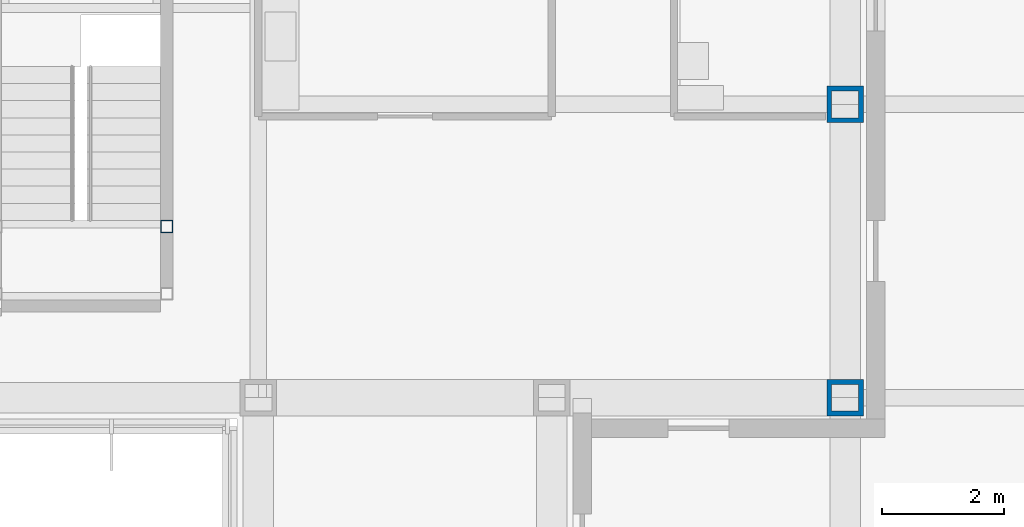
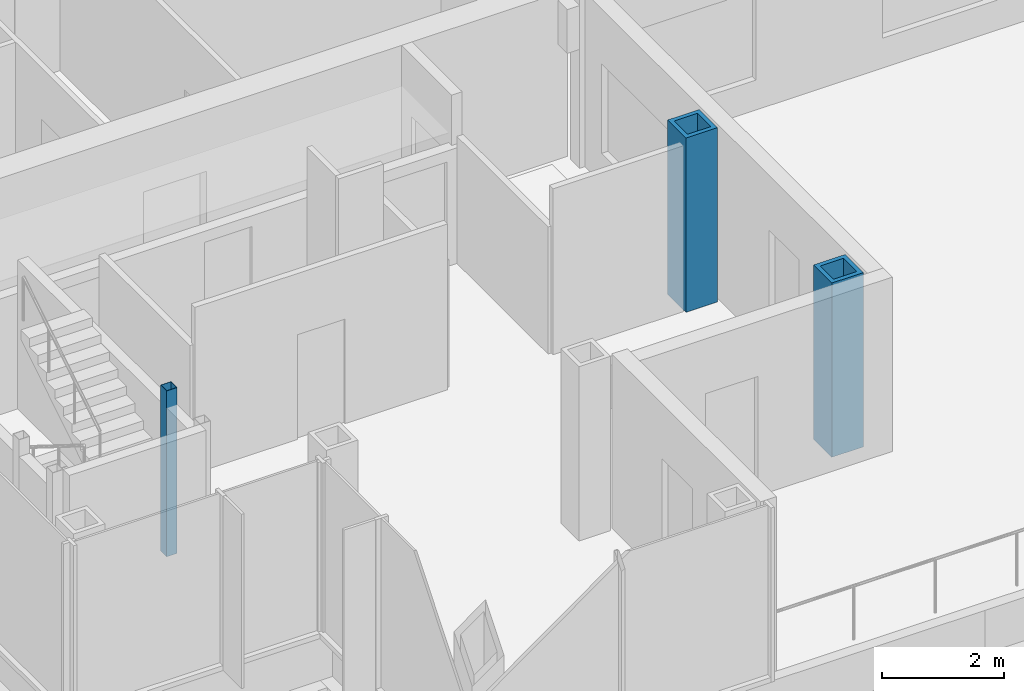
# One storey, part 2 of 17: 3 columns.
"""IFC4 building model written with IfcOpenShell, lengths in metres."""

from ifc_helpers import new_model, si_unit, direction, frame, origin, origin_2d, place, context, subcontext, project, spatial, hollow_rectangle, extrude, material, material_profile, profile_set, type_object, element, save


model = new_model("IFC4")

# Units and contexts
model_context = context("Model", 3, precision=1e-05, world=origin(), true_north=direction((0.0, 1.0)))
body_context = subcontext(model_context, "Body", "Model", "MODEL_VIEW")
ifc_project = project(units=[si_unit("LENGTHUNIT", "METRE"), si_unit("AREAUNIT", "SQUARE_METRE"), si_unit("VOLUMEUNIT", "CUBIC_METRE"), si_unit("PLANEANGLEUNIT", "RADIAN"), si_unit("MASSUNIT", "GRAM", prefix="KILO")], contexts=[model_context])

# Site, building, storey
site_placement = place(None, origin())
site = spatial("IfcSite", under=ifc_project, at=site_placement, CompositionType="ELEMENT")
building_placement = place(site_placement, origin())
building = spatial("IfcBuilding", under=site, at=building_placement, Name="Kvirike Care Tower", CompositionType="ELEMENT")
storey_placement = place(building_placement, frame((0.0, 0.0, 141.0)))
storey = spatial("IfcBuildingStorey", under=building, at=storey_placement, Name="L38", CompositionType="ELEMENT", Elevation=141.0)

# Columns
ifc_material_1 = material(Name="Steel S460", Category="steel")
ifc_material_profile_1 = material_profile(ifc_material_1, hollow_rectangle(XDim=0.60009765625, YDim=0.60009765625, WallThickness=0.080078125, at=origin_2d()), Name="BX 600x600x80")
ifc_profile_set_1 = profile_set([ifc_material_profile_1], Name="Steel S460")
column_type_1 = type_object("IfcColumnType", Name="COLUMN BX 600x600x80", PredefinedType="COLUMN", material=ifc_profile_set_1)
for number, where, z_axis, x_axis, name in (
    (1, (28.800048828125, 19.199951171875, 0.0), (0.0, 0.0, 1.0), (0.0, 1.0, 0.0), "Column E9 L38"),
    (2, (28.800048828125, 24.0, 0.0), (0.0, 0.0, 1.0), (1.0, 0.0, 0.0), "Column F9 L38"),
):
    element("IfcColumn", number, at=place(storey_placement, frame(where, z_axis=z_axis, x_axis=x_axis)), inside=storey, type_object=column_type_1, Name=name, PredefinedType="COLUMN", context=body_context, shape_type="SweptSolid", body=[
        extrude(hollow_rectangle(XDim=0.60009765625, YDim=0.60009765625, WallThickness=0.080078125, at=origin_2d()), origin(), (0.0, 0.0, 1.0), 3.5),
    ])
ifc_material_2 = material(Name="Steel S460", Category="steel")
ifc_material_profile_2 = material_profile(ifc_material_2, hollow_rectangle(XDim=0.199951171875, YDim=0.199951171875, WallThickness=0.008056640625, at=origin_2d()), Name="SHS 200x200x8")
ifc_profile_set_2 = profile_set([ifc_material_profile_2], Name="Steel S460")
column_type_2 = type_object("IfcColumnType", Name="STAIR POST SHS 200x200x8", PredefinedType="COLUMN", material=ifc_profile_set_2)
column_placement = place(storey_placement, frame((17.699951171875, 22.0, 0.0), z_axis=(0.0, 0.0, 1.0), x_axis=(1.0, 0.0, 0.0)))
element("IfcColumn", 3, at=column_placement, inside=storey, type_object=column_type_2, Name="Stair 5 post 4 L38", PredefinedType="COLUMN", context=body_context, shape_type="SweptSolid", body=[
    extrude(hollow_rectangle(XDim=0.199951171875, YDim=0.199951171875, WallThickness=0.008056640625, at=origin_2d()), origin(), (0.0, 0.0, 1.0), 3.330078125),
])

save(model, "model.ifc")
